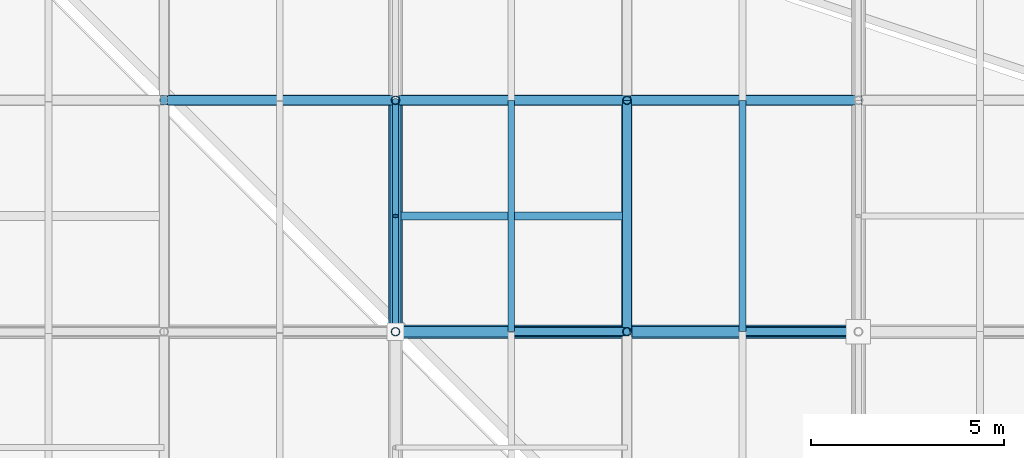
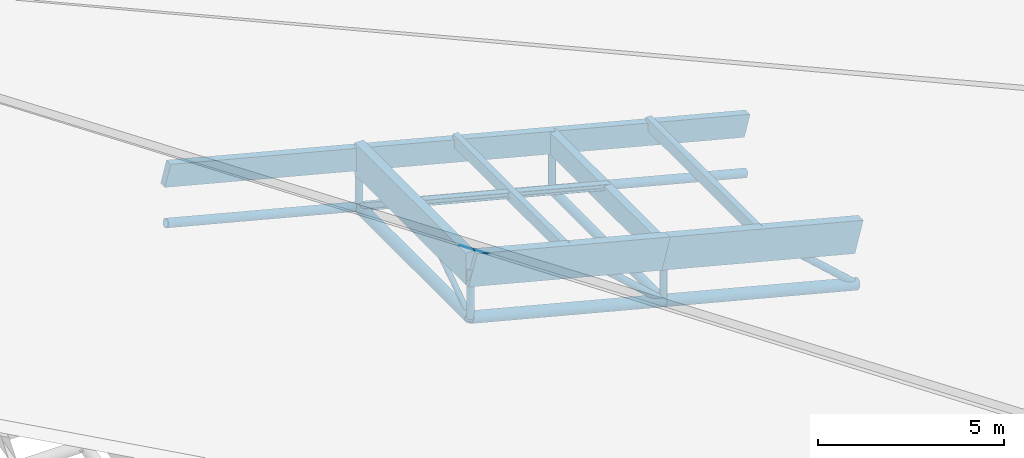
# One storey, part 31 of 80: 25 members.
"""IFC4 building model written with IfcOpenShell, lengths in metres."""

from ifc_helpers import new_model, si_unit, direction, frame, origin, origin_2d, place, context, subcontext, project, spatial, rectangle, hollow_circle, i_section, extrude, material, material_profile, profile_set, type_object, element, save


model = new_model("IFC4")

# Units and contexts
model_context = context("Model", 3, precision=1e-05, world=origin(), true_north=direction((0.0, 1.0)))
body_context = subcontext(model_context, "Body", "Model", "MODEL_VIEW")
ifc_project = project(units=[si_unit("LENGTHUNIT", "METRE"), si_unit("AREAUNIT", "SQUARE_METRE"), si_unit("VOLUMEUNIT", "CUBIC_METRE"), si_unit("PLANEANGLEUNIT", "RADIAN"), si_unit("MASSUNIT", "GRAM", prefix="KILO"), si_unit("THERMODYNAMICTEMPERATUREUNIT", "KELVIN"), si_unit("POWERUNIT", "WATT")], contexts=[model_context])

# Site, building, storey
site_placement = place(None, origin())
site = spatial("IfcSite", under=ifc_project, at=site_placement, CompositionType="ELEMENT")
building_placement = place(site_placement, origin())
building = spatial("IfcBuilding", under=site, at=building_placement, Name="Solmara Park Aquatics Centre", CompositionType="ELEMENT")
storey_placement = place(building_placement, frame((0.0, 0.0, 22.800048828125)))
storey = spatial("IfcBuildingStorey", under=building, at=storey_placement, Name="RF", CompositionType="ELEMENT", Elevation=22.800048828125)

# Members
ifc_material_1 = material(Name="Structural Steel S355", Category="steel")
ifc_material_profile_1 = material_profile(ifc_material_1, hollow_circle(Radius=0.084228515625, WallThickness=0.008056640625, at=origin_2d()), Name="CHS 168.3x8")
ifc_profile_set_1 = profile_set([ifc_material_profile_1], Name="Structural Steel S355")
member_type_1 = type_object("IfcMemberType", Name="STR-BRC-CHS168", PredefinedType="BRACE", material=ifc_profile_set_1)
for number, where, z_axis, x_axis, name in (
    (1, (84.60009765625, 24.60009765625, -8.0380859375), (0.0, 0.834611904619, 0.550838423377), (-1.0, 0.0, 0.0), "Roof Truss Web Diagonal Y 1946"),
    (2, (84.60009765625, 30.60009765625, -8.0380859375), (0.0, -0.834611904619, 0.550838423377), (1.0, 0.0, 0.0), "Roof Truss Web Diagonal Y 1947"),
):
    element("IfcMember", number, at=place(storey_placement, frame(where, z_axis=z_axis, x_axis=x_axis)), inside=storey, type_object=member_type_1, Name=name, PredefinedType="BRACE", context=body_context, shape_type="SweptSolid", body=[
        extrude(hollow_circle(Radius=0.084228515625, WallThickness=0.008056640625, at=origin_2d()), origin(), (0.0, 0.0, 1.0), 3.594482421875),
    ])
ifc_material_profile_2 = material_profile(ifc_material_1, hollow_circle(Radius=0.109619140625, WallThickness=0.010009765625, at=origin_2d()), Name="CHS 219.1x10")
ifc_profile_set_2 = profile_set([ifc_material_profile_2], Name="Structural Steel S355")
member_type_2 = type_object("IfcMemberType", Name="STR-BRC-CHS219", PredefinedType="BRACE", material=ifc_profile_set_2)
for number, where, z_axis, x_axis, name in (
    (3, (90.60009765625, 24.60009765625, -9.58984375), (-0.741347083846, 0.0, 0.671121822974), (0.0, -1.0, 0.0), "Roof Truss Web Diagonal X 1757"),
    (4, (96.60009765625, 24.60009765625, -11.141357421875), (-0.741347083846, 0.0, 0.671121822974), (0.0, -1.0, 0.0), "Roof Truss Web Diagonal X 1783"),
):
    element("IfcMember", number, at=place(storey_placement, frame(where, z_axis=z_axis, x_axis=x_axis)), inside=storey, type_object=member_type_2, Name=name, PredefinedType="BRACE", context=body_context, shape_type="SweptSolid", body=[
        extrude(hollow_circle(Radius=0.109619140625, WallThickness=0.010009765625, at=origin_2d()), origin(), (0.0, 0.0, 1.0), 4.046630859375),
    ])
ifc_material_profile_3 = material_profile(ifc_material_1, hollow_circle(Radius=0.136474609375, WallThickness=0.012451171875, at=origin_2d()), Name="CHS 273x12.5")
ifc_profile_set_3 = profile_set([ifc_material_profile_3], Name="Structural Steel S355")
member_type_3 = type_object("IfcMemberType", Name="STR-CHD-CHS273", PredefinedType="CHORD", material=ifc_profile_set_3)
for number, where, z_axis, x_axis, name in (
    (5, (78.60009765625, 30.60009765625, -6.486328125), (0.968145594442, 0.0, -0.250387914969), (0.0, 1.0, 0.0), "Steel Roof Truss Bottom Chord X 0208"),
    (6, (84.60009765625, 30.60009765625, -8.0380859375), (0.968145594442, 0.0, -0.250387914969), (0.0, 1.0, 0.0), "Steel Roof Truss Bottom Chord X 0210"),
):
    element("IfcMember", number, at=place(storey_placement, frame(where, z_axis=z_axis, x_axis=x_axis)), inside=storey, type_object=member_type_3, Name=name, PredefinedType="CHORD", context=body_context, shape_type="SweptSolid", body=[
        extrude(hollow_circle(Radius=0.136474609375, WallThickness=0.012451171875, at=origin_2d()), origin(), (0.0, 0.0, 1.0), 6.197509765625),
    ])
member_1_placement = place(storey_placement, frame((90.60009765625, 30.60009765625, -9.58984375), z_axis=(0.968155143395, 0.0, -0.250350990246), x_axis=(0.0, 1.0, 0.0)))
element("IfcMember", 7, at=member_1_placement, inside=storey, type_object=member_type_3, Name="Steel Roof Truss Bottom Chord X 0212", PredefinedType="CHORD", context=body_context, shape_type="SweptSolid", body=[
    extrude(hollow_circle(Radius=0.136474609375, WallThickness=0.012451171875, at=origin_2d()), origin(), (0.0, 0.0, 1.0), 6.197265625),
])
member_2_placement = place(storey_placement, frame((90.60009765625, 24.60009765625, -9.58984375), z_axis=(0.0, 1.0, 0.0), x_axis=(-1.0, 0.0, 0.0)))
element("IfcMember", 8, at=member_2_placement, inside=storey, type_object=member_type_3, Name="Steel Roof Truss Bottom Chord Y 0970", PredefinedType="CHORD", context=body_context, shape_type="SweptSolid", body=[
    extrude(hollow_circle(Radius=0.136474609375, WallThickness=0.012451171875, at=origin_2d()), origin(), (0.0, 0.0, 1.0), 6.0),
])
ifc_material_profile_4 = material_profile(ifc_material_1, hollow_circle(Radius=0.177734375, WallThickness=0.01611328125, at=origin_2d()), Name="CHS 355.6x16")
ifc_profile_set_4 = profile_set([ifc_material_profile_4], Name="Structural Steel S355")
member_type_4 = type_object("IfcMemberType", Name="STR-CHD-CHS355", PredefinedType="CHORD", material=ifc_profile_set_4)
member_3_placement = place(storey_placement, frame((84.60009765625, 24.60009765625, -8.0380859375), z_axis=(0.968145594442, 0.0, -0.250387914969), x_axis=(0.0, 1.0, 0.0)))
element("IfcMember", 9, at=member_3_placement, inside=storey, type_object=member_type_4, Name="Steel Roof Truss Bottom Chord X 0174", PredefinedType="CHORD", context=body_context, shape_type="SweptSolid", body=[
    extrude(hollow_circle(Radius=0.177734375, WallThickness=0.01611328125, at=origin_2d()), origin(), (0.0, 0.0, 1.0), 6.197509765625),
])
member_4_placement = place(storey_placement, frame((90.60009765625, 24.60009765625, -9.58984375), z_axis=(0.968155143395, 0.0, -0.250350990246), x_axis=(0.0, 1.0, 0.0)))
element("IfcMember", 10, at=member_4_placement, inside=storey, type_object=member_type_4, Name="Steel Roof Truss Bottom Chord X 0176", PredefinedType="CHORD", context=body_context, shape_type="SweptSolid", body=[
    extrude(hollow_circle(Radius=0.177734375, WallThickness=0.01611328125, at=origin_2d()), origin(), (0.0, 0.0, 1.0), 6.197265625),
])
member_5_placement = place(storey_placement, frame((84.60009765625, 24.60009765625, -8.0380859375), z_axis=(0.0, 1.0, 0.0), x_axis=(-1.0, 0.0, 0.0)))
element("IfcMember", 11, at=member_5_placement, inside=storey, type_object=member_type_4, Name="Steel Roof Truss Bottom Chord Y 0942", PredefinedType="CHORD", context=body_context, shape_type="SweptSolid", body=[
    extrude(hollow_circle(Radius=0.177734375, WallThickness=0.01611328125, at=origin_2d()), origin(), (0.0, 0.0, 1.0), 6.0),
])
ifc_material_2 = material(Name="Glulam Timber GL28h", Category="wood")
ifc_material_profile_5 = material_profile(ifc_material_2, rectangle(XDim=0.239990234375, YDim=0.719970703125, at=origin_2d()), Name="GL28h 240x720")
ifc_profile_set_5 = profile_set([ifc_material_profile_5], Name="Glulam Timber GL28h")
member_type_5 = type_object("IfcMemberType", Name="STR-CHD-GL240x720", PredefinedType="CHORD", material=ifc_profile_set_5)
member_6_placement = place(storey_placement, frame((78.60009765625, 30.60009765625, -4.866455078125), z_axis=(0.968155143395, 0.0, -0.250350990246), x_axis=(0.0, 1.0, 0.0)))
element("IfcMember", 12, at=member_6_placement, inside=storey, type_object=member_type_5, Name="Glulam Roof Truss Top Chord X 0207", PredefinedType="CHORD", context=body_context, shape_type="SweptSolid", body=[
    extrude(rectangle(XDim=0.239990234375, YDim=0.719970703125, at=origin_2d()), origin(), (0.0, 0.0, 1.0), 6.197265625),
])
for number, where, z_axis, x_axis, name in (
    (13, (84.60009765625, 30.60009765625, -6.41796875), (0.968145594442, 0.0, -0.250387914969), (0.0, 1.0, 0.0), "Glulam Roof Truss Top Chord X 0209"),
    (14, (90.60009765625, 30.60009765625, -7.9697265625), (0.968145594442, 0.0, -0.250387914969), (0.0, 1.0, 0.0), "Glulam Roof Truss Top Chord X 0211"),
):
    element("IfcMember", number, at=place(storey_placement, frame(where, z_axis=z_axis, x_axis=x_axis)), inside=storey, type_object=member_type_5, Name=name, PredefinedType="CHORD", context=body_context, shape_type="SweptSolid", body=[
        extrude(rectangle(XDim=0.239990234375, YDim=0.719970703125, at=origin_2d()), origin(), (0.0, 0.0, 1.0), 6.197509765625),
    ])
member_7_placement = place(storey_placement, frame((90.60009765625, 24.60009765625, -7.9697265625), z_axis=(0.0, 1.0, 0.0), x_axis=(-1.0, 0.0, 0.0)))
element("IfcMember", 15, at=member_7_placement, inside=storey, type_object=member_type_5, Name="Glulam Roof Truss Top Chord Y 0969", PredefinedType="CHORD", context=body_context, shape_type="SweptSolid", body=[
    extrude(rectangle(XDim=0.239990234375, YDim=0.719970703125, at=origin_2d()), origin(), (0.0, 0.0, 1.0), 6.0),
])
ifc_material_profile_6 = material_profile(ifc_material_2, rectangle(XDim=0.280029296875, YDim=1.0400390625, at=origin_2d()), Name="GL28h 280x1040")
ifc_profile_set_6 = profile_set([ifc_material_profile_6], Name="Glulam Timber GL28h")
member_type_6 = type_object("IfcMemberType", Name="STR-CHD-GL280x1040", PredefinedType="CHORD", material=ifc_profile_set_6)
for number, where, z_axis, x_axis, name in (
    (16, (84.60009765625, 24.60009765625, -6.41796875), (0.968145594442, 0.0, -0.250387914969), (0.0, 1.0, 0.0), "Glulam Roof Truss Top Chord X 0173"),
    (17, (90.60009765625, 24.60009765625, -7.9697265625), (0.968145594442, 0.0, -0.250387914969), (0.0, 1.0, 0.0), "Glulam Roof Truss Top Chord X 0175"),
):
    element("IfcMember", number, at=place(storey_placement, frame(where, z_axis=z_axis, x_axis=x_axis)), inside=storey, type_object=member_type_6, Name=name, PredefinedType="CHORD", context=body_context, shape_type="SweptSolid", body=[
        extrude(rectangle(XDim=0.280029296875, YDim=1.0400390625, at=origin_2d()), origin(), (0.0, 0.0, 1.0), 6.197509765625),
    ])
member_8_placement = place(storey_placement, frame((84.60009765625, 24.60009765625, -6.41796875), z_axis=(0.0, 1.0, 0.0), x_axis=(-1.0, 0.0, 0.0)))
element("IfcMember", 18, at=member_8_placement, inside=storey, type_object=member_type_6, Name="Glulam Roof Truss Top Chord Y 0941", PredefinedType="CHORD", context=body_context, shape_type="SweptSolid", body=[
    extrude(rectangle(XDim=0.280029296875, YDim=1.0400390625, at=origin_2d()), origin(), (0.0, 0.0, 1.0), 6.0),
])
ifc_material_profile_7 = material_profile(ifc_material_2, rectangle(XDim=0.179931640625, YDim=0.39990234375, at=origin_2d()), Name="GL28h 180x400")
ifc_profile_set_7 = profile_set([ifc_material_profile_7], Name="Glulam Timber GL28h")
member_type_7 = type_object("IfcMemberType", Name="STR-PRL-GL180x400", PredefinedType="PURLIN", material=ifc_profile_set_7)
for number, where, z_axis, x_axis, name in (
    (19, (87.60009765625, 24.60009765625, -6.8740234375), (0.0, 1.0, 0.0), (-1.0, 0.0, 0.0), "Glulam Roof Purlin 1743"),
    (20, (93.60009765625, 24.60009765625, -8.425537109375), (0.0, 1.0, 0.0), (-1.0, 0.0, 0.0), "Glulam Roof Purlin 1769"),
):
    element("IfcMember", number, at=place(storey_placement, frame(where, z_axis=z_axis, x_axis=x_axis)), inside=storey, type_object=member_type_7, Name=name, PredefinedType="PURLIN", context=body_context, shape_type="SweptSolid", body=[
        extrude(rectangle(XDim=0.179931640625, YDim=0.39990234375, at=origin_2d()), origin(), (0.0, 0.0, 1.0), 6.0),
    ])
ifc_material_profile_8 = material_profile(ifc_material_1, i_section(OverallWidth=0.199951171875, OverallDepth=0.18994140625, WebThickness=0.006591796875, FlangeThickness=0.010009765625, FilletRadius=0.01806640625, at=origin_2d()), Name="HEA 200")
ifc_profile_set_8 = profile_set([ifc_material_profile_8], Name="Structural Steel S355")
member_type_8 = type_object("IfcMemberType", Name="STR-PRL-HEA200", PredefinedType="PURLIN", material=ifc_profile_set_8)
member_9_placement = place(storey_placement, frame((84.60009765625, 27.60009765625, -6.078125), z_axis=(0.968155143395, 0.0, -0.250350990246), x_axis=(0.0, 1.0, 0.0)))
element("IfcMember", 21, at=member_9_placement, inside=storey, type_object=member_type_8, Name="Glulam Secondary Roof Purlin 1934", PredefinedType="PURLIN", context=body_context, shape_type="SweptSolid", body=[
    extrude(i_section(OverallWidth=0.199951171875, OverallDepth=0.18994140625, WebThickness=0.006591796875, FlangeThickness=0.010009765625, FilletRadius=0.01806640625, at=origin_2d()), origin(), (0.0, 0.0, 1.0), 6.197265625),
])
ifc_material_profile_9 = material_profile(ifc_material_1, hollow_circle(Radius=0.109619140625, WallThickness=0.010009765625, at=origin_2d()), Name="CHS 219.1x10")
ifc_profile_set_9 = profile_set([ifc_material_profile_9], Name="Structural Steel S355")
member_type_9 = type_object("IfcMemberType", Name="STR-PST-CHS219", PredefinedType="POST", material=ifc_profile_set_9)
for number, where, z_axis, x_axis, name in (
    (22, (84.60009765625, 24.60009765625, -8.0380859375), (0.0, 0.0, 1.0), (1.0, 0.0, 0.0), "Roof Truss Web Post 1280"),
    (23, (84.60009765625, 30.60009765625, -8.0380859375), (0.0, 0.0, 1.0), (1.0, 0.0, 0.0), "Roof Truss Web Post 1281"),
    (24, (90.60009765625, 24.60009765625, -9.58984375), (0.0, 0.0, 1.0), (1.0, 0.0, 0.0), "Roof Truss Web Post 1295"),
    (25, (90.60009765625, 30.60009765625, -9.58984375), (0.0, 0.0, 1.0), (1.0, 0.0, 0.0), "Roof Truss Web Post 1296"),
):
    element("IfcMember", number, at=place(storey_placement, frame(where, z_axis=z_axis, x_axis=x_axis)), inside=storey, type_object=member_type_9, Name=name, PredefinedType="POST", context=body_context, shape_type="SweptSolid", body=[
        extrude(hollow_circle(Radius=0.109619140625, WallThickness=0.010009765625, at=origin_2d()), origin(), (0.0, 0.0, 1.0), 1.6201171875),
    ])

save(model, "model.ifc")
